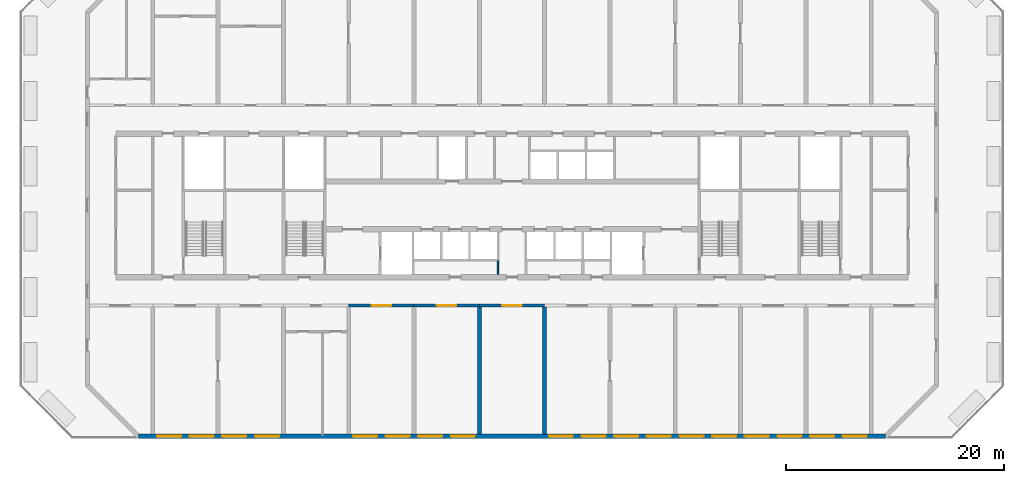
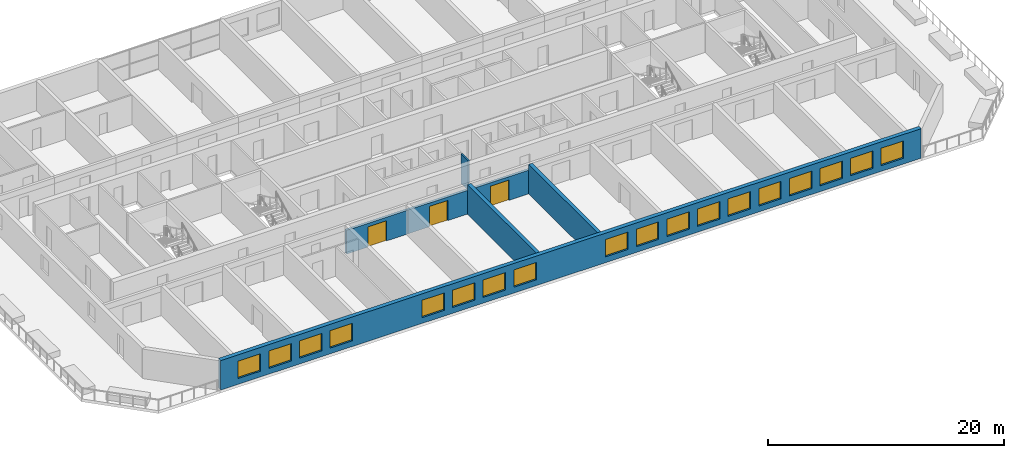
# One storey, part 8 of 18: 18 windows, 7 walls, 3 doors, 21 openings.
"""IFC4 building model written with IfcOpenShell, lengths in metres."""

from ifc_helpers import new_model, si_unit, direction, frame, frame_2d, origin, place, context, subcontext, project, spatial, rectangle, extrude, material, layer, layer_set, type_object, element, fill, save


model = new_model("IFC4")

# Units and contexts
model_context = context("Model", 3, precision=1e-05, world=origin(), true_north=direction((0.0, 1.0)))
body_context = subcontext(model_context, "Body", "Model", "MODEL_VIEW")
ifc_project = project(units=[si_unit("LENGTHUNIT", "METRE"), si_unit("AREAUNIT", "SQUARE_METRE"), si_unit("VOLUMEUNIT", "CUBIC_METRE"), si_unit("PLANEANGLEUNIT", "RADIAN"), si_unit("MASSUNIT", "GRAM", prefix="KILO")], contexts=[model_context])

# Site, building, storey
site_placement = place(None, origin())
site = spatial("IfcSite", under=ifc_project, at=site_placement, CompositionType="ELEMENT")
building_placement = place(site_placement, origin())
building = spatial("IfcBuilding", under=site, at=building_placement, Name="Poui Terraces", CompositionType="ELEMENT")
storey_placement = place(building_placement, frame((0.0, 0.0, 105.89990234375)))
storey = spatial("IfcBuildingStorey", under=building, at=storey_placement, Name="L29", CompositionType="ELEMENT", Elevation=105.89990234375)

# Wall
ifc_material_1 = material(Name="Fire-rated plasterboard wall")
ifc_layer_1 = layer(ifc_material_1, 0.14990234375)
ifc_layer_set_1 = layer_set([ifc_layer_1], Name="Fire-rated plasterboard wall")
wall_type_1 = type_object("IfcWallType", Name="CORRIDOR WALL 150", PredefinedType="PARTITIONING", material=ifc_layer_set_1)
wall_1_placement = place(storey_placement, frame((49.699951171875, 14.860107421875, 0.0), z_axis=(0.0, 0.0, 1.0), x_axis=(0.0, 1.0, 0.0)))
element("IfcWall", 1, at=wall_1_placement, inside=storey, type_object=wall_type_1, Name="CORRIDOR WALL 150", PredefinedType="PARTITIONING", context=body_context, shape_type="SweptSolid", body=[
    extrude(rectangle(XDim=1.239990234375, YDim=0.14990234375, at=frame_2d((0.6201171875, 0.0))), origin(), (0.0, 0.0, 1.0), 3.06005859375),
])

# Wall, opening, door
ifc_material_2 = material(Name="Concrete 65 MPa", Category="concrete")
ifc_layer_2 = layer(ifc_material_2, 0.25)
ifc_layer_set_2 = layer_set([ifc_layer_2], Name="Concrete 65 MPa")
wall_type_2 = type_object("IfcWallType", Name="CORRIDOR WALL 250 65MPa", PredefinedType="SHEAR", material=ifc_layer_set_2)
wall_2_placement = place(storey_placement, frame((36.0, 12.0, 0.0), z_axis=(0.0, 0.0, 1.0), x_axis=(1.0, 0.0, 0.0)))
wall_2 = element("IfcWall", 2, at=wall_2_placement, inside=storey, type_object=wall_type_2, Name="CORRIDOR WALL LINE B BAY 5", PredefinedType="SHEAR", context=body_context, shape_type="SweptSolid", body=[
    extrude(rectangle(XDim=6.0, YDim=0.25, at=frame_2d((3.0, 0.0))), origin(), (0.0, 0.0, 1.0), 2.460205078125),
])
opening_1_placement = place(wall_2_placement, frame((2.10009765625, 0.0, 0.0)))
opening_1 = element("IfcOpeningElement", 3, at=opening_1_placement, cuts=wall_2, Name="Opening DD180", PredefinedType="OPENING", context=body_context, shape_type="SweptSolid", body=[
    extrude(rectangle(XDim=1.800048828125, YDim=2.10009765625, at=frame_2d((0.89990234375, 1.050048828125))), frame((0.0, 0.135009765625, 0.0), z_axis=(0.0, -1.0, 0.0), x_axis=(1.0, 0.0, 0.0)), (0.0, 0.0, 1.0), 0.27001953125),
])
ifc_material_3 = material(Name="Steel fire door", Category="steel")
door_type = type_object("IfcDoorType", Name="DOUBLE INTERNAL DOOR 1800 X 2100", OperationType="DOUBLE_DOOR_SINGLE_SWING", PredefinedType="DOOR", material=ifc_material_3)
door_1_placement = place(opening_1_placement, origin())
door_1 = element("IfcDoor", 4, at=door_1_placement, inside=storey, type_object=door_type, Name="DOUBLE INTERNAL DOOR 038", OperationType="DOUBLE_DOOR_SINGLE_SWING", OverallHeight=2.10009765625, OverallWidth=1.800048828125, PredefinedType="DOOR", context=body_context, shape_type="SweptSolid", body=[
    extrude(rectangle(XDim=1.800048828125, YDim=2.10009765625, at=frame_2d((0.89990234375, 1.050048828125))), frame((0.0, 0.02490234375, 0.0), z_axis=(0.0, -1.0, 0.0), x_axis=(1.0, 0.0, 0.0)), (0.0, 0.0, 1.0), 0.050048828125),
])
fill(opening_1, door_1)

wall_3_placement = place(storey_placement, frame((42.0, 12.0, 0.0), z_axis=(0.0, 0.0, 1.0), x_axis=(1.0, 0.0, 0.0)))
wall_3 = element("IfcWall", 5, at=wall_3_placement, inside=storey, type_object=wall_type_2, Name="CORRIDOR WALL LINE B BAY 6", PredefinedType="SHEAR", context=body_context, shape_type="SweptSolid", body=[
    extrude(rectangle(XDim=6.0, YDim=0.25, at=frame_2d((3.0, 0.0))), origin(), (0.0, 0.0, 1.0), 2.460205078125),
])
opening_2_placement = place(wall_3_placement, frame((2.10009765625, 0.0, 0.0)))
opening_2 = element("IfcOpeningElement", 6, at=opening_2_placement, cuts=wall_3, Name="Opening DD180", PredefinedType="OPENING", context=body_context, shape_type="SweptSolid", body=[
    extrude(rectangle(XDim=1.800048828125, YDim=2.10009765625, at=frame_2d((0.89990234375, 1.050048828125))), frame((0.0, 0.135009765625, 0.0), z_axis=(0.0, -1.0, 0.0), x_axis=(1.0, 0.0, 0.0)), (0.0, 0.0, 1.0), 0.27001953125),
])
door_2_placement = place(opening_2_placement, origin())
door_2 = element("IfcDoor", 7, at=door_2_placement, inside=storey, type_object=door_type, Name="DOUBLE INTERNAL DOOR 039", OperationType="DOUBLE_DOOR_SINGLE_SWING", OverallHeight=2.10009765625, OverallWidth=1.800048828125, PredefinedType="DOOR", context=body_context, shape_type="SweptSolid", body=[
    extrude(rectangle(XDim=1.800048828125, YDim=2.10009765625, at=frame_2d((0.89990234375, 1.050048828125))), frame((0.0, 0.02490234375, 0.0), z_axis=(0.0, -1.0, 0.0), x_axis=(1.0, 0.0, 0.0)), (0.0, 0.0, 1.0), 0.050048828125),
])
fill(opening_2, door_2)

wall_4_placement = place(storey_placement, frame((48.0, 12.0, 0.0), z_axis=(0.0, 0.0, 1.0), x_axis=(1.0, 0.0, 0.0)))
wall_4 = element("IfcWall", 8, at=wall_4_placement, inside=storey, type_object=wall_type_2, Name="CORRIDOR WALL LINE B BAY 7", PredefinedType="SHEAR", context=body_context, shape_type="SweptSolid", body=[
    extrude(rectangle(XDim=6.0, YDim=0.25, at=frame_2d((3.0, 0.0))), origin(), (0.0, 0.0, 1.0), 2.460205078125),
])
opening_3_placement = place(wall_4_placement, frame((2.10009765625, 0.0, 0.0)))
opening_3 = element("IfcOpeningElement", 9, at=opening_3_placement, cuts=wall_4, Name="Opening DD180", PredefinedType="OPENING", context=body_context, shape_type="SweptSolid", body=[
    extrude(rectangle(XDim=1.800048828125, YDim=2.10009765625, at=frame_2d((0.89990234375, 1.050048828125))), frame((0.0, 0.135009765625, 0.0), z_axis=(0.0, -1.0, 0.0), x_axis=(1.0, 0.0, 0.0)), (0.0, 0.0, 1.0), 0.27001953125),
])
door_3_placement = place(opening_3_placement, origin())
door_3 = element("IfcDoor", 10, at=door_3_placement, inside=storey, type_object=door_type, Name="DOUBLE INTERNAL DOOR 041", OperationType="DOUBLE_DOOR_SINGLE_SWING", OverallHeight=2.10009765625, OverallWidth=1.800048828125, PredefinedType="DOOR", context=body_context, shape_type="SweptSolid", body=[
    extrude(rectangle(XDim=1.800048828125, YDim=2.10009765625, at=frame_2d((0.89990234375, 1.050048828125))), frame((0.0, 0.02490234375, 0.0), z_axis=(0.0, -1.0, 0.0), x_axis=(1.0, 0.0, 0.0)), (0.0, 0.0, 1.0), 0.050048828125),
])
fill(opening_3, door_3)

# Walls
ifc_layer_3 = layer(ifc_material_2, 0.35009765625)
ifc_layer_set_3 = layer_set([ifc_layer_3], Name="Concrete 65 MPa")
wall_type_3 = type_object("IfcWallType", Name="CROSS WALL 350 65MPa", PredefinedType="SHEAR", material=ifc_layer_set_3)
for number, where, z_axis, x_axis, name in (
    (11, (48.0, 0.199951171875, 0.0), (0.0, 0.0, 1.0), (0.0, 1.0, 0.0), "CROSS WALL LINE 9 SOUTH"),
    (12, (54.0, 0.199951171875, 0.0), (0.0, 0.0, 1.0), (0.0, 1.0, 0.0), "CROSS WALL LINE 10 SOUTH"),
):
    element("IfcWall", number, at=place(storey_placement, frame(where, z_axis=z_axis, x_axis=x_axis)), inside=storey, type_object=wall_type_3, Name=name, PredefinedType="SHEAR", context=body_context, shape_type="SweptSolid", body=[
        extrude(rectangle(XDim=11.675048828125, YDim=0.35009765625, at=frame_2d((5.83740234375, 0.0))), origin(), (0.0, 0.0, 1.0), 3.06005859375),
    ])

# Wall, openings, windows
ifc_material_4 = material(Name="Precast concrete 40 MPa", Category="concrete")
ifc_layer_4 = layer(ifc_material_4, 0.39990234375)
ifc_layer_set_4 = layer_set([ifc_layer_4], Name="Precast concrete 40 MPa")
wall_type_4 = type_object("IfcWallType", Name="EXTERNAL WALL 400", PredefinedType="STANDARD", material=ifc_layer_set_4)
wall_5_placement = place(storey_placement, frame((16.682861328125, 0.0, 0.0), z_axis=(0.0, 0.0, 1.0), x_axis=(1.0, 0.0, 0.0)))
wall_5 = element("IfcWall", 13, at=wall_5_placement, inside=storey, type_object=wall_type_4, Name="EXTERNAL WALL S", PredefinedType="STANDARD", context=body_context, shape_type="SweptSolid", body=[
    extrude(rectangle(XDim=68.63427734375, YDim=0.39990234375, at=frame_2d((34.317138671875, 0.0))), origin(), (0.0, 0.0, 1.0), 3.06005859375),
])
opening_4_placement = place(wall_5_placement, frame((1.71728515625, 0.0, 0.60009765625)))
opening_4 = element("IfcOpeningElement", 14, at=opening_4_placement, cuts=wall_5, Name="Opening W3", PredefinedType="OPENING", context=body_context, shape_type="SweptSolid", body=[
    extrude(rectangle(XDim=2.199951171875, YDim=1.800048828125, at=frame_2d((1.10009765625, 0.89990234375))), frame((0.0, 0.2099609375, 0.0), z_axis=(0.0, -1.0, 0.0), x_axis=(1.0, 0.0, 0.0)), (0.0, 0.0, 1.0), 0.419921875),
])
opening_5_placement = place(wall_5_placement, frame((4.71728515625, 0.0, 0.60009765625)))
opening_5 = element("IfcOpeningElement", 15, at=opening_5_placement, cuts=wall_5, Name="Opening W3", PredefinedType="OPENING", context=body_context, shape_type="SweptSolid", body=[
    extrude(rectangle(XDim=2.199951171875, YDim=1.800048828125, at=frame_2d((1.10009765625, 0.89990234375))), frame((0.0, 0.2099609375, 0.0), z_axis=(0.0, -1.0, 0.0), x_axis=(1.0, 0.0, 0.0)), (0.0, 0.0, 1.0), 0.419921875),
])
opening_6_placement = place(wall_5_placement, frame((7.71728515625, 0.0, 0.60009765625)))
opening_6 = element("IfcOpeningElement", 16, at=opening_6_placement, cuts=wall_5, Name="Opening W3", PredefinedType="OPENING", context=body_context, shape_type="SweptSolid", body=[
    extrude(rectangle(XDim=2.199951171875, YDim=1.800048828125, at=frame_2d((1.10009765625, 0.89990234375))), frame((0.0, 0.2099609375, 0.0), z_axis=(0.0, -1.0, 0.0), x_axis=(1.0, 0.0, 0.0)), (0.0, 0.0, 1.0), 0.419921875),
])
opening_7_placement = place(wall_5_placement, frame((10.71728515625, 0.0, 0.60009765625)))
opening_7 = element("IfcOpeningElement", 17, at=opening_7_placement, cuts=wall_5, Name="Opening W3", PredefinedType="OPENING", context=body_context, shape_type="SweptSolid", body=[
    extrude(rectangle(XDim=2.199951171875, YDim=1.800048828125, at=frame_2d((1.10009765625, 0.89990234375))), frame((0.0, 0.2099609375, 0.0), z_axis=(0.0, -1.0, 0.0), x_axis=(1.0, 0.0, 0.0)), (0.0, 0.0, 1.0), 0.419921875),
])
opening_8_placement = place(wall_5_placement, frame((19.71728515625, 0.0, 0.60009765625)))
opening_8 = element("IfcOpeningElement", 18, at=opening_8_placement, cuts=wall_5, Name="Opening W3", PredefinedType="OPENING", context=body_context, shape_type="SweptSolid", body=[
    extrude(rectangle(XDim=2.199951171875, YDim=1.800048828125, at=frame_2d((1.10009765625, 0.89990234375))), frame((0.0, 0.2099609375, 0.0), z_axis=(0.0, -1.0, 0.0), x_axis=(1.0, 0.0, 0.0)), (0.0, 0.0, 1.0), 0.419921875),
])
opening_9_placement = place(wall_5_placement, frame((22.71728515625, 0.0, 0.60009765625)))
opening_9 = element("IfcOpeningElement", 19, at=opening_9_placement, cuts=wall_5, Name="Opening W3", PredefinedType="OPENING", context=body_context, shape_type="SweptSolid", body=[
    extrude(rectangle(XDim=2.199951171875, YDim=1.800048828125, at=frame_2d((1.10009765625, 0.89990234375))), frame((0.0, 0.2099609375, 0.0), z_axis=(0.0, -1.0, 0.0), x_axis=(1.0, 0.0, 0.0)), (0.0, 0.0, 1.0), 0.419921875),
])
opening_10_placement = place(wall_5_placement, frame((25.71728515625, 0.0, 0.60009765625)))
opening_10 = element("IfcOpeningElement", 20, at=opening_10_placement, cuts=wall_5, Name="Opening W3", PredefinedType="OPENING", context=body_context, shape_type="SweptSolid", body=[
    extrude(rectangle(XDim=2.199951171875, YDim=1.800048828125, at=frame_2d((1.10009765625, 0.89990234375))), frame((0.0, 0.2099609375, 0.0), z_axis=(0.0, -1.0, 0.0), x_axis=(1.0, 0.0, 0.0)), (0.0, 0.0, 1.0), 0.419921875),
])
opening_11_placement = place(wall_5_placement, frame((28.71728515625, 0.0, 0.60009765625)))
opening_11 = element("IfcOpeningElement", 21, at=opening_11_placement, cuts=wall_5, Name="Opening W3", PredefinedType="OPENING", context=body_context, shape_type="SweptSolid", body=[
    extrude(rectangle(XDim=2.199951171875, YDim=1.800048828125, at=frame_2d((1.10009765625, 0.89990234375))), frame((0.0, 0.2099609375, 0.0), z_axis=(0.0, -1.0, 0.0), x_axis=(1.0, 0.0, 0.0)), (0.0, 0.0, 1.0), 0.419921875),
])
opening_12_placement = place(wall_5_placement, frame((37.71728515625, 0.0, 0.60009765625)))
opening_12 = element("IfcOpeningElement", 22, at=opening_12_placement, cuts=wall_5, Name="Opening W3", PredefinedType="OPENING", context=body_context, shape_type="SweptSolid", body=[
    extrude(rectangle(XDim=2.199951171875, YDim=1.800048828125, at=frame_2d((1.10009765625, 0.89990234375))), frame((0.0, 0.2099609375, 0.0), z_axis=(0.0, -1.0, 0.0), x_axis=(1.0, 0.0, 0.0)), (0.0, 0.0, 1.0), 0.419921875),
])
opening_13_placement = place(wall_5_placement, frame((40.71728515625, 0.0, 0.60009765625)))
opening_13 = element("IfcOpeningElement", 23, at=opening_13_placement, cuts=wall_5, Name="Opening W3", PredefinedType="OPENING", context=body_context, shape_type="SweptSolid", body=[
    extrude(rectangle(XDim=2.199951171875, YDim=1.800048828125, at=frame_2d((1.10009765625, 0.89990234375))), frame((0.0, 0.2099609375, 0.0), z_axis=(0.0, -1.0, 0.0), x_axis=(1.0, 0.0, 0.0)), (0.0, 0.0, 1.0), 0.419921875),
])
opening_14_placement = place(wall_5_placement, frame((43.71728515625, 0.0, 0.60009765625)))
opening_14 = element("IfcOpeningElement", 24, at=opening_14_placement, cuts=wall_5, Name="Opening W3", PredefinedType="OPENING", context=body_context, shape_type="SweptSolid", body=[
    extrude(rectangle(XDim=2.199951171875, YDim=1.800048828125, at=frame_2d((1.10009765625, 0.89990234375))), frame((0.0, 0.2099609375, 0.0), z_axis=(0.0, -1.0, 0.0), x_axis=(1.0, 0.0, 0.0)), (0.0, 0.0, 1.0), 0.419921875),
])
opening_15_placement = place(wall_5_placement, frame((46.71728515625, 0.0, 0.60009765625)))
opening_15 = element("IfcOpeningElement", 25, at=opening_15_placement, cuts=wall_5, Name="Opening W3", PredefinedType="OPENING", context=body_context, shape_type="SweptSolid", body=[
    extrude(rectangle(XDim=2.199951171875, YDim=1.800048828125, at=frame_2d((1.10009765625, 0.89990234375))), frame((0.0, 0.2099609375, 0.0), z_axis=(0.0, -1.0, 0.0), x_axis=(1.0, 0.0, 0.0)), (0.0, 0.0, 1.0), 0.419921875),
])
opening_16_placement = place(wall_5_placement, frame((49.71728515625, 0.0, 0.60009765625)))
opening_16 = element("IfcOpeningElement", 26, at=opening_16_placement, cuts=wall_5, Name="Opening W3", PredefinedType="OPENING", context=body_context, shape_type="SweptSolid", body=[
    extrude(rectangle(XDim=2.199951171875, YDim=1.800048828125, at=frame_2d((1.10009765625, 0.89990234375))), frame((0.0, 0.2099609375, 0.0), z_axis=(0.0, -1.0, 0.0), x_axis=(1.0, 0.0, 0.0)), (0.0, 0.0, 1.0), 0.419921875),
])
opening_17_placement = place(wall_5_placement, frame((52.71728515625, 0.0, 0.60009765625)))
opening_17 = element("IfcOpeningElement", 27, at=opening_17_placement, cuts=wall_5, Name="Opening W3", PredefinedType="OPENING", context=body_context, shape_type="SweptSolid", body=[
    extrude(rectangle(XDim=2.199951171875, YDim=1.800048828125, at=frame_2d((1.10009765625, 0.89990234375))), frame((0.0, 0.2099609375, 0.0), z_axis=(0.0, -1.0, 0.0), x_axis=(1.0, 0.0, 0.0)), (0.0, 0.0, 1.0), 0.419921875),
])
opening_18_placement = place(wall_5_placement, frame((55.71728515625, 0.0, 0.60009765625)))
opening_18 = element("IfcOpeningElement", 28, at=opening_18_placement, cuts=wall_5, Name="Opening W3", PredefinedType="OPENING", context=body_context, shape_type="SweptSolid", body=[
    extrude(rectangle(XDim=2.199951171875, YDim=1.800048828125, at=frame_2d((1.10009765625, 0.89990234375))), frame((0.0, 0.2099609375, 0.0), z_axis=(0.0, -1.0, 0.0), x_axis=(1.0, 0.0, 0.0)), (0.0, 0.0, 1.0), 0.419921875),
])
opening_19_placement = place(wall_5_placement, frame((58.71728515625, 0.0, 0.60009765625)))
opening_19 = element("IfcOpeningElement", 29, at=opening_19_placement, cuts=wall_5, Name="Opening W3", PredefinedType="OPENING", context=body_context, shape_type="SweptSolid", body=[
    extrude(rectangle(XDim=2.199951171875, YDim=1.800048828125, at=frame_2d((1.10009765625, 0.89990234375))), frame((0.0, 0.2099609375, 0.0), z_axis=(0.0, -1.0, 0.0), x_axis=(1.0, 0.0, 0.0)), (0.0, 0.0, 1.0), 0.419921875),
])
opening_20_placement = place(wall_5_placement, frame((61.71728515625, 0.0, 0.60009765625)))
opening_20 = element("IfcOpeningElement", 30, at=opening_20_placement, cuts=wall_5, Name="Opening W3", PredefinedType="OPENING", context=body_context, shape_type="SweptSolid", body=[
    extrude(rectangle(XDim=2.199951171875, YDim=1.800048828125, at=frame_2d((1.10009765625, 0.89990234375))), frame((0.0, 0.2099609375, 0.0), z_axis=(0.0, -1.0, 0.0), x_axis=(1.0, 0.0, 0.0)), (0.0, 0.0, 1.0), 0.419921875),
])
opening_21_placement = place(wall_5_placement, frame((64.71728515625, 0.0, 0.60009765625)))
opening_21 = element("IfcOpeningElement", 31, at=opening_21_placement, cuts=wall_5, Name="Opening W3", PredefinedType="OPENING", context=body_context, shape_type="SweptSolid", body=[
    extrude(rectangle(XDim=2.199951171875, YDim=1.800048828125, at=frame_2d((1.10009765625, 0.89990234375))), frame((0.0, 0.2099609375, 0.0), z_axis=(0.0, -1.0, 0.0), x_axis=(1.0, 0.0, 0.0)), (0.0, 0.0, 1.0), 0.419921875),
])
ifc_material_5 = material(Name="Clear glass in aluminium frame", Category="aluminium")
window_type = type_object("IfcWindowType", Name="WINDOW 2200X1800", PartitioningType="DOUBLE_PANEL_HORIZONTAL", PredefinedType="WINDOW", material=ifc_material_5)
window_1_placement = place(opening_4_placement, origin())
window_1 = element("IfcWindow", 32, at=window_1_placement, inside=storey, type_object=window_type, Name="W3 WINDOW", OverallHeight=1.800048828125, OverallWidth=2.199951171875, PartitioningType="DOUBLE_PANEL_HORIZONTAL", PredefinedType="WINDOW", context=body_context, shape_type="SweptSolid", body=[
    extrude(rectangle(XDim=2.199951171875, YDim=1.800048828125, at=frame_2d((1.10009765625, 0.89990234375))), frame((0.0, 0.030029296875, 0.0), z_axis=(0.0, -1.0, 0.0), x_axis=(1.0, 0.0, 0.0)), (0.0, 0.0, 1.0), 0.06005859375),
])
fill(opening_4, window_1)
window_2_placement = place(opening_5_placement, origin())
window_2 = element("IfcWindow", 33, at=window_2_placement, inside=storey, type_object=window_type, Name="W3 WINDOW", OverallHeight=1.800048828125, OverallWidth=2.199951171875, PartitioningType="DOUBLE_PANEL_HORIZONTAL", PredefinedType="WINDOW", context=body_context, shape_type="SweptSolid", body=[
    extrude(rectangle(XDim=2.199951171875, YDim=1.800048828125, at=frame_2d((1.10009765625, 0.89990234375))), frame((0.0, 0.030029296875, 0.0), z_axis=(0.0, -1.0, 0.0), x_axis=(1.0, 0.0, 0.0)), (0.0, 0.0, 1.0), 0.06005859375),
])
fill(opening_5, window_2)
window_3_placement = place(opening_6_placement, origin())
window_3 = element("IfcWindow", 34, at=window_3_placement, inside=storey, type_object=window_type, Name="W3 WINDOW", OverallHeight=1.800048828125, OverallWidth=2.199951171875, PartitioningType="DOUBLE_PANEL_HORIZONTAL", PredefinedType="WINDOW", context=body_context, shape_type="SweptSolid", body=[
    extrude(rectangle(XDim=2.199951171875, YDim=1.800048828125, at=frame_2d((1.10009765625, 0.89990234375))), frame((0.0, 0.030029296875, 0.0), z_axis=(0.0, -1.0, 0.0), x_axis=(1.0, 0.0, 0.0)), (0.0, 0.0, 1.0), 0.06005859375),
])
fill(opening_6, window_3)
window_4_placement = place(opening_7_placement, origin())
window_4 = element("IfcWindow", 35, at=window_4_placement, inside=storey, type_object=window_type, Name="W3 WINDOW", OverallHeight=1.800048828125, OverallWidth=2.199951171875, PartitioningType="DOUBLE_PANEL_HORIZONTAL", PredefinedType="WINDOW", context=body_context, shape_type="SweptSolid", body=[
    extrude(rectangle(XDim=2.199951171875, YDim=1.800048828125, at=frame_2d((1.10009765625, 0.89990234375))), frame((0.0, 0.030029296875, 0.0), z_axis=(0.0, -1.0, 0.0), x_axis=(1.0, 0.0, 0.0)), (0.0, 0.0, 1.0), 0.06005859375),
])
fill(opening_7, window_4)
window_5_placement = place(opening_8_placement, origin())
window_5 = element("IfcWindow", 36, at=window_5_placement, inside=storey, type_object=window_type, Name="W3 WINDOW", OverallHeight=1.800048828125, OverallWidth=2.199951171875, PartitioningType="DOUBLE_PANEL_HORIZONTAL", PredefinedType="WINDOW", context=body_context, shape_type="SweptSolid", body=[
    extrude(rectangle(XDim=2.199951171875, YDim=1.800048828125, at=frame_2d((1.10009765625, 0.89990234375))), frame((0.0, 0.030029296875, 0.0), z_axis=(0.0, -1.0, 0.0), x_axis=(1.0, 0.0, 0.0)), (0.0, 0.0, 1.0), 0.06005859375),
])
fill(opening_8, window_5)
window_6_placement = place(opening_9_placement, origin())
window_6 = element("IfcWindow", 37, at=window_6_placement, inside=storey, type_object=window_type, Name="W3 WINDOW", OverallHeight=1.800048828125, OverallWidth=2.199951171875, PartitioningType="DOUBLE_PANEL_HORIZONTAL", PredefinedType="WINDOW", context=body_context, shape_type="SweptSolid", body=[
    extrude(rectangle(XDim=2.199951171875, YDim=1.800048828125, at=frame_2d((1.10009765625, 0.89990234375))), frame((0.0, 0.030029296875, 0.0), z_axis=(0.0, -1.0, 0.0), x_axis=(1.0, 0.0, 0.0)), (0.0, 0.0, 1.0), 0.06005859375),
])
fill(opening_9, window_6)
window_7_placement = place(opening_10_placement, origin())
window_7 = element("IfcWindow", 38, at=window_7_placement, inside=storey, type_object=window_type, Name="W3 WINDOW", OverallHeight=1.800048828125, OverallWidth=2.199951171875, PartitioningType="DOUBLE_PANEL_HORIZONTAL", PredefinedType="WINDOW", context=body_context, shape_type="SweptSolid", body=[
    extrude(rectangle(XDim=2.199951171875, YDim=1.800048828125, at=frame_2d((1.10009765625, 0.89990234375))), frame((0.0, 0.030029296875, 0.0), z_axis=(0.0, -1.0, 0.0), x_axis=(1.0, 0.0, 0.0)), (0.0, 0.0, 1.0), 0.06005859375),
])
fill(opening_10, window_7)
window_8_placement = place(opening_11_placement, origin())
window_8 = element("IfcWindow", 39, at=window_8_placement, inside=storey, type_object=window_type, Name="W3 WINDOW", OverallHeight=1.800048828125, OverallWidth=2.199951171875, PartitioningType="DOUBLE_PANEL_HORIZONTAL", PredefinedType="WINDOW", context=body_context, shape_type="SweptSolid", body=[
    extrude(rectangle(XDim=2.199951171875, YDim=1.800048828125, at=frame_2d((1.10009765625, 0.89990234375))), frame((0.0, 0.030029296875, 0.0), z_axis=(0.0, -1.0, 0.0), x_axis=(1.0, 0.0, 0.0)), (0.0, 0.0, 1.0), 0.06005859375),
])
fill(opening_11, window_8)
window_9_placement = place(opening_12_placement, origin())
window_9 = element("IfcWindow", 40, at=window_9_placement, inside=storey, type_object=window_type, Name="W3 WINDOW", OverallHeight=1.800048828125, OverallWidth=2.199951171875, PartitioningType="DOUBLE_PANEL_HORIZONTAL", PredefinedType="WINDOW", context=body_context, shape_type="SweptSolid", body=[
    extrude(rectangle(XDim=2.199951171875, YDim=1.800048828125, at=frame_2d((1.10009765625, 0.89990234375))), frame((0.0, 0.030029296875, 0.0), z_axis=(0.0, -1.0, 0.0), x_axis=(1.0, 0.0, 0.0)), (0.0, 0.0, 1.0), 0.06005859375),
])
fill(opening_12, window_9)
window_10_placement = place(opening_13_placement, origin())
window_10 = element("IfcWindow", 41, at=window_10_placement, inside=storey, type_object=window_type, Name="W3 WINDOW", OverallHeight=1.800048828125, OverallWidth=2.199951171875, PartitioningType="DOUBLE_PANEL_HORIZONTAL", PredefinedType="WINDOW", context=body_context, shape_type="SweptSolid", body=[
    extrude(rectangle(XDim=2.199951171875, YDim=1.800048828125, at=frame_2d((1.10009765625, 0.89990234375))), frame((0.0, 0.030029296875, 0.0), z_axis=(0.0, -1.0, 0.0), x_axis=(1.0, 0.0, 0.0)), (0.0, 0.0, 1.0), 0.06005859375),
])
fill(opening_13, window_10)
window_11_placement = place(opening_14_placement, origin())
window_11 = element("IfcWindow", 42, at=window_11_placement, inside=storey, type_object=window_type, Name="W3 WINDOW", OverallHeight=1.800048828125, OverallWidth=2.199951171875, PartitioningType="DOUBLE_PANEL_HORIZONTAL", PredefinedType="WINDOW", context=body_context, shape_type="SweptSolid", body=[
    extrude(rectangle(XDim=2.199951171875, YDim=1.800048828125, at=frame_2d((1.10009765625, 0.89990234375))), frame((0.0, 0.030029296875, 0.0), z_axis=(0.0, -1.0, 0.0), x_axis=(1.0, 0.0, 0.0)), (0.0, 0.0, 1.0), 0.06005859375),
])
fill(opening_14, window_11)
window_12_placement = place(opening_15_placement, origin())
window_12 = element("IfcWindow", 43, at=window_12_placement, inside=storey, type_object=window_type, Name="W3 WINDOW", OverallHeight=1.800048828125, OverallWidth=2.199951171875, PartitioningType="DOUBLE_PANEL_HORIZONTAL", PredefinedType="WINDOW", context=body_context, shape_type="SweptSolid", body=[
    extrude(rectangle(XDim=2.199951171875, YDim=1.800048828125, at=frame_2d((1.10009765625, 0.89990234375))), frame((0.0, 0.030029296875, 0.0), z_axis=(0.0, -1.0, 0.0), x_axis=(1.0, 0.0, 0.0)), (0.0, 0.0, 1.0), 0.06005859375),
])
fill(opening_15, window_12)
window_13_placement = place(opening_16_placement, origin())
window_13 = element("IfcWindow", 44, at=window_13_placement, inside=storey, type_object=window_type, Name="W3 WINDOW", OverallHeight=1.800048828125, OverallWidth=2.199951171875, PartitioningType="DOUBLE_PANEL_HORIZONTAL", PredefinedType="WINDOW", context=body_context, shape_type="SweptSolid", body=[
    extrude(rectangle(XDim=2.199951171875, YDim=1.800048828125, at=frame_2d((1.10009765625, 0.89990234375))), frame((0.0, 0.030029296875, 0.0), z_axis=(0.0, -1.0, 0.0), x_axis=(1.0, 0.0, 0.0)), (0.0, 0.0, 1.0), 0.06005859375),
])
fill(opening_16, window_13)
window_14_placement = place(opening_17_placement, origin())
window_14 = element("IfcWindow", 45, at=window_14_placement, inside=storey, type_object=window_type, Name="W3 WINDOW", OverallHeight=1.800048828125, OverallWidth=2.199951171875, PartitioningType="DOUBLE_PANEL_HORIZONTAL", PredefinedType="WINDOW", context=body_context, shape_type="SweptSolid", body=[
    extrude(rectangle(XDim=2.199951171875, YDim=1.800048828125, at=frame_2d((1.10009765625, 0.89990234375))), frame((0.0, 0.030029296875, 0.0), z_axis=(0.0, -1.0, 0.0), x_axis=(1.0, 0.0, 0.0)), (0.0, 0.0, 1.0), 0.06005859375),
])
fill(opening_17, window_14)
window_15_placement = place(opening_18_placement, origin())
window_15 = element("IfcWindow", 46, at=window_15_placement, inside=storey, type_object=window_type, Name="W3 WINDOW", OverallHeight=1.800048828125, OverallWidth=2.199951171875, PartitioningType="DOUBLE_PANEL_HORIZONTAL", PredefinedType="WINDOW", context=body_context, shape_type="SweptSolid", body=[
    extrude(rectangle(XDim=2.199951171875, YDim=1.800048828125, at=frame_2d((1.10009765625, 0.89990234375))), frame((0.0, 0.030029296875, 0.0), z_axis=(0.0, -1.0, 0.0), x_axis=(1.0, 0.0, 0.0)), (0.0, 0.0, 1.0), 0.06005859375),
])
fill(opening_18, window_15)
window_16_placement = place(opening_19_placement, origin())
window_16 = element("IfcWindow", 47, at=window_16_placement, inside=storey, type_object=window_type, Name="W3 WINDOW", OverallHeight=1.800048828125, OverallWidth=2.199951171875, PartitioningType="DOUBLE_PANEL_HORIZONTAL", PredefinedType="WINDOW", context=body_context, shape_type="SweptSolid", body=[
    extrude(rectangle(XDim=2.199951171875, YDim=1.800048828125, at=frame_2d((1.10009765625, 0.89990234375))), frame((0.0, 0.030029296875, 0.0), z_axis=(0.0, -1.0, 0.0), x_axis=(1.0, 0.0, 0.0)), (0.0, 0.0, 1.0), 0.06005859375),
])
fill(opening_19, window_16)
window_17_placement = place(opening_20_placement, origin())
window_17 = element("IfcWindow", 48, at=window_17_placement, inside=storey, type_object=window_type, Name="W3 WINDOW", OverallHeight=1.800048828125, OverallWidth=2.199951171875, PartitioningType="DOUBLE_PANEL_HORIZONTAL", PredefinedType="WINDOW", context=body_context, shape_type="SweptSolid", body=[
    extrude(rectangle(XDim=2.199951171875, YDim=1.800048828125, at=frame_2d((1.10009765625, 0.89990234375))), frame((0.0, 0.030029296875, 0.0), z_axis=(0.0, -1.0, 0.0), x_axis=(1.0, 0.0, 0.0)), (0.0, 0.0, 1.0), 0.06005859375),
])
fill(opening_20, window_17)
window_18_placement = place(opening_21_placement, origin())
window_18 = element("IfcWindow", 49, at=window_18_placement, inside=storey, type_object=window_type, Name="W3 WINDOW", OverallHeight=1.800048828125, OverallWidth=2.199951171875, PartitioningType="DOUBLE_PANEL_HORIZONTAL", PredefinedType="WINDOW", context=body_context, shape_type="SweptSolid", body=[
    extrude(rectangle(XDim=2.199951171875, YDim=1.800048828125, at=frame_2d((1.10009765625, 0.89990234375))), frame((0.0, 0.030029296875, 0.0), z_axis=(0.0, -1.0, 0.0), x_axis=(1.0, 0.0, 0.0)), (0.0, 0.0, 1.0), 0.06005859375),
])
fill(opening_21, window_18)

save(model, "model.ifc")
